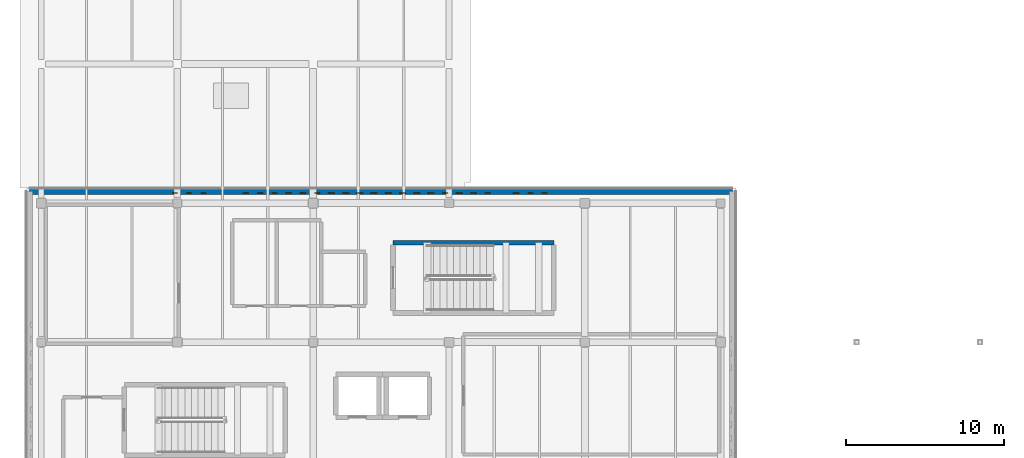
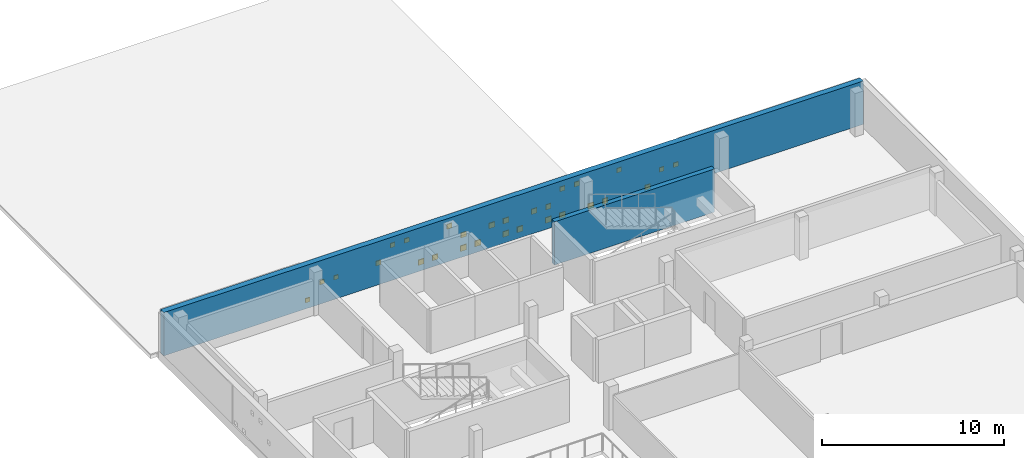
# One storey, part 13 of 17: 28 windows, 2 walls, 28 openings.
"""IFC4 building model written with IfcOpenShell, lengths in metres."""

from ifc_helpers import new_model, si_unit, direction, frame, frame_2d, origin, place, context, subcontext, project, spatial, rectangle, extrude, material, layer, layer_set, type_object, element, fill, save


model = new_model("IFC4")

# Units and contexts
model_context = context("Model", 3, precision=1e-05, world=origin(), true_north=direction((0.0, 1.0)))
body_context = subcontext(model_context, "Body", "Model", "MODEL_VIEW")
ifc_project = project(units=[si_unit("LENGTHUNIT", "METRE"), si_unit("AREAUNIT", "SQUARE_METRE"), si_unit("VOLUMEUNIT", "CUBIC_METRE"), si_unit("PLANEANGLEUNIT", "RADIAN"), si_unit("MASSUNIT", "GRAM", prefix="KILO")], contexts=[model_context])

# Site, building, storey
site_placement = place(None, origin())
site = spatial("IfcSite", under=ifc_project, at=site_placement, CompositionType="ELEMENT")
building_placement = place(site_placement, origin())
building = spatial("IfcBuilding", under=site, at=building_placement, Name="Varnakota Cinema and Media Centre", CompositionType="ELEMENT")
storey_placement = place(building_placement, frame((0.0, 0.0, 22.35009765625)))
storey = spatial("IfcBuildingStorey", under=building, at=storey_placement, Name="L06", CompositionType="ELEMENT", Elevation=22.35009765625)

# Wall
ifc_material_1 = material(Name="Concrete M40", Category="concrete")
ifc_layer_1 = layer(ifc_material_1, 0.300048828125)
ifc_layer_set_1 = layer_set([ifc_layer_1], Name="Concrete M40")
wall_type_1 = type_object("IfcWallType", Name="W-CORE-300", PredefinedType="SHEAR", material=ifc_layer_set_1)
wall_1_placement = place(storey_placement, frame((22.25, 32.699951171875, 0.0), z_axis=(0.0, 0.0, 1.0), x_axis=(1.0, 0.0, 0.0)))
element("IfcWall", 1, at=wall_1_placement, inside=storey, type_object=wall_type_1, Name="L06 CWALL-ST-02-L06 N wall", PredefinedType="SHEAR", context=body_context, shape_type="SweptSolid", body=[
    extrude(rectangle(XDim=10.179931640625, YDim=0.300048828125, at=frame_2d((5.08984375, 0.0))), origin(), (0.0, 0.0, 1.0), 2.909912109375),
])

# Wall, openings, windows
ifc_material_2 = material(Name="Pale Tandur limestone cladding", Category="masonry")
ifc_layer_2 = layer(ifc_material_2, 0.360107421875)
ifc_layer_set_2 = layer_set([ifc_layer_2], Name="Pale Tandur limestone cladding")
wall_type_2 = type_object("IfcWallType", Name="W-EXT-TANDUR-360", PredefinedType="SOLIDWALL", material=ifc_layer_set_2)
wall_2_placement = place(storey_placement, frame((-0.739990234375, 35.93994140625, 0.0), z_axis=(0.0, 0.0, 1.0), x_axis=(1.0, 0.0, 0.0)))
wall_2 = element("IfcWall", 2, at=wall_2_placement, inside=storey, type_object=wall_type_2, Name="L06 V4 pale Tandur stone monolith wall V4-N", PredefinedType="SOLIDWALL", context=body_context, shape_type="SweptSolid", body=[
    extrude(rectangle(XDim=44.47998046875, YDim=0.360107421875, at=frame_2d((22.239990234375, 0.0))), origin(), (0.0, 0.0, 1.0), 2.909912109375),
])
opening_1_placement = place(wall_2_placement, frame((9.050048828125, 0.0, 0.360107421875)))
opening_1 = element("IfcOpeningElement", 3, at=opening_1_placement, cuts=wall_2, Name="Opening WP15", PredefinedType="OPENING", context=body_context, shape_type="SweptSolid", body=[
    extrude(rectangle(XDim=0.280029296875, YDim=0.280029296875, at=frame_2d((0.14013671875, 0.14013671875))), frame((0.0, 0.18017578125, 0.0), z_axis=(0.0, -1.0, 0.0), x_axis=(1.0, 0.0, 0.0)), (0.0, 0.0, 1.0), 0.360107421875),
])
opening_2_placement = place(wall_2_placement, frame((9.949951171875, 0.0, 1.260009765625)))
opening_2 = element("IfcOpeningElement", 4, at=opening_2_placement, cuts=wall_2, Name="Opening WP15", PredefinedType="OPENING", context=body_context, shape_type="SweptSolid", body=[
    extrude(rectangle(XDim=0.280029296875, YDim=0.280029296875, at=frame_2d((0.14013671875, 0.14013671875))), frame((0.0, 0.18017578125, 0.0), z_axis=(0.0, -1.0, 0.0), x_axis=(1.0, 0.0, 0.0)), (0.0, 0.0, 1.0), 0.360107421875),
])
opening_3_placement = place(wall_2_placement, frame((10.85009765625, 0.0, 1.260009765625)))
opening_3 = element("IfcOpeningElement", 5, at=opening_3_placement, cuts=wall_2, Name="Opening WP15", PredefinedType="OPENING", context=body_context, shape_type="SweptSolid", body=[
    extrude(rectangle(XDim=0.280029296875, YDim=0.280029296875, at=frame_2d((0.14013671875, 0.14013671875))), frame((0.0, 0.18017578125, 0.0), z_axis=(0.0, -1.0, 0.0), x_axis=(1.0, 0.0, 0.0)), (0.0, 0.0, 1.0), 0.360107421875),
])
opening_4_placement = place(wall_2_placement, frame((13.530029296875, 0.0, 1.260009765625)))
opening_4 = element("IfcOpeningElement", 6, at=opening_4_placement, cuts=wall_2, Name="Opening WP13", PredefinedType="OPENING", context=body_context, shape_type="SweptSolid", body=[
    extrude(rectangle(XDim=0.320068359375, YDim=0.320068359375, at=frame_2d((0.16015625, 0.16015625))), frame((0.0, 0.18017578125, 0.0), z_axis=(0.0, -1.0, 0.0), x_axis=(1.0, 0.0, 0.0)), (0.0, 0.0, 1.0), 0.360107421875),
])
opening_5_placement = place(wall_2_placement, frame((14.43994140625, 0.0, 2.159912109375)))
opening_5 = element("IfcOpeningElement", 7, at=opening_5_placement, cuts=wall_2, Name="Opening WP14", PredefinedType="OPENING", context=body_context, shape_type="SweptSolid", body=[
    extrude(rectangle(XDim=0.300048828125, YDim=0.300048828125, at=frame_2d((0.14990234375, 0.14990234375))), frame((0.0, 0.18017578125, 0.0), z_axis=(0.0, -1.0, 0.0), x_axis=(1.0, 0.0, 0.0)), (0.0, 0.0, 1.0), 0.360107421875),
])
opening_6_placement = place(wall_2_placement, frame((15.340087890625, 0.0, 2.159912109375)))
opening_6 = element("IfcOpeningElement", 8, at=opening_6_placement, cuts=wall_2, Name="Opening WP14", PredefinedType="OPENING", context=body_context, shape_type="SweptSolid", body=[
    extrude(rectangle(XDim=0.300048828125, YDim=0.300048828125, at=frame_2d((0.14990234375, 0.14990234375))), frame((0.0, 0.18017578125, 0.0), z_axis=(0.0, -1.0, 0.0), x_axis=(1.0, 0.0, 0.0)), (0.0, 0.0, 1.0), 0.360107421875),
])
opening_7_placement = place(wall_2_placement, frame((16.2099609375, 0.0, 0.360107421875)))
opening_7 = element("IfcOpeningElement", 9, at=opening_7_placement, cuts=wall_2, Name="Opening WP11", PredefinedType="OPENING", context=body_context, shape_type="SweptSolid", body=[
    extrude(rectangle(XDim=0.360107421875, YDim=0.360107421875, at=frame_2d((0.18017578125, 0.18017578125))), frame((0.0, 0.18017578125, 0.0), z_axis=(0.0, -1.0, 0.0), x_axis=(1.0, 0.0, 0.0)), (0.0, 0.0, 1.0), 0.360107421875),
])
opening_8_placement = place(wall_2_placement, frame((17.110107421875, 0.0, 0.360107421875)))
opening_8 = element("IfcOpeningElement", 10, at=opening_8_placement, cuts=wall_2, Name="Opening WP11", PredefinedType="OPENING", context=body_context, shape_type="SweptSolid", body=[
    extrude(rectangle(XDim=0.360107421875, YDim=0.360107421875, at=frame_2d((0.18017578125, 0.18017578125))), frame((0.0, 0.18017578125, 0.0), z_axis=(0.0, -1.0, 0.0), x_axis=(1.0, 0.0, 0.0)), (0.0, 0.0, 1.0), 0.360107421875),
])
opening_9_placement = place(wall_2_placement, frame((18.030029296875, 0.0, 2.159912109375)))
opening_9 = element("IfcOpeningElement", 11, at=opening_9_placement, cuts=wall_2, Name="Opening WP13", PredefinedType="OPENING", context=body_context, shape_type="SweptSolid", body=[
    extrude(rectangle(XDim=0.320068359375, YDim=0.320068359375, at=frame_2d((0.16015625, 0.16015625))), frame((0.0, 0.18017578125, 0.0), z_axis=(0.0, -1.0, 0.0), x_axis=(1.0, 0.0, 0.0)), (0.0, 0.0, 1.0), 0.360107421875),
])
opening_10_placement = place(wall_2_placement, frame((18.89990234375, 0.0, 0.360107421875)))
opening_10 = element("IfcOpeningElement", 12, at=opening_10_placement, cuts=wall_2, Name="Opening WP10", PredefinedType="OPENING", context=body_context, shape_type="SweptSolid", body=[
    extrude(rectangle(XDim=0.3798828125, YDim=0.3798828125, at=frame_2d((0.18994140625, 0.18994140625))), frame((0.0, 0.18017578125, 0.0), z_axis=(0.0, -1.0, 0.0), x_axis=(1.0, 0.0, 0.0)), (0.0, 0.0, 1.0), 0.360107421875),
])
opening_11_placement = place(wall_2_placement, frame((18.919921875, 0.0, 1.260009765625)))
opening_11 = element("IfcOpeningElement", 13, at=opening_11_placement, cuts=wall_2, Name="Opening WP12", PredefinedType="OPENING", context=body_context, shape_type="SweptSolid", body=[
    extrude(rectangle(XDim=0.340087890625, YDim=0.340087890625, at=frame_2d((0.169921875, 0.169921875))), frame((0.0, 0.18017578125, 0.0), z_axis=(0.0, -1.0, 0.0), x_axis=(1.0, 0.0, 0.0)), (0.0, 0.0, 1.0), 0.360107421875),
])
opening_12_placement = place(wall_2_placement, frame((19.800048828125, 0.0, 0.360107421875)))
opening_12 = element("IfcOpeningElement", 14, at=opening_12_placement, cuts=wall_2, Name="Opening WP10", PredefinedType="OPENING", context=body_context, shape_type="SweptSolid", body=[
    extrude(rectangle(XDim=0.3798828125, YDim=0.3798828125, at=frame_2d((0.18994140625, 0.18994140625))), frame((0.0, 0.18017578125, 0.0), z_axis=(0.0, -1.0, 0.0), x_axis=(1.0, 0.0, 0.0)), (0.0, 0.0, 1.0), 0.360107421875),
])
opening_13_placement = place(wall_2_placement, frame((20.7099609375, 0.0, 1.260009765625)))
opening_13 = element("IfcOpeningElement", 15, at=opening_13_placement, cuts=wall_2, Name="Opening WP11", PredefinedType="OPENING", context=body_context, shape_type="SweptSolid", body=[
    extrude(rectangle(XDim=0.360107421875, YDim=0.360107421875, at=frame_2d((0.18017578125, 0.18017578125))), frame((0.0, 0.18017578125, 0.0), z_axis=(0.0, -1.0, 0.0), x_axis=(1.0, 0.0, 0.0)), (0.0, 0.0, 1.0), 0.360107421875),
])
opening_14_placement = place(wall_2_placement, frame((21.60009765625, 0.0, 0.360107421875)))
opening_14 = element("IfcOpeningElement", 16, at=opening_14_placement, cuts=wall_2, Name="Opening WP10", PredefinedType="OPENING", context=body_context, shape_type="SweptSolid", body=[
    extrude(rectangle(XDim=0.3798828125, YDim=0.3798828125, at=frame_2d((0.18994140625, 0.18994140625))), frame((0.0, 0.18017578125, 0.0), z_axis=(0.0, -1.0, 0.0), x_axis=(1.0, 0.0, 0.0)), (0.0, 0.0, 1.0), 0.360107421875),
])
opening_15_placement = place(wall_2_placement, frame((21.610107421875, 0.0, 1.260009765625)))
opening_15 = element("IfcOpeningElement", 17, at=opening_15_placement, cuts=wall_2, Name="Opening WP11", PredefinedType="OPENING", context=body_context, shape_type="SweptSolid", body=[
    extrude(rectangle(XDim=0.360107421875, YDim=0.360107421875, at=frame_2d((0.18017578125, 0.18017578125))), frame((0.0, 0.18017578125, 0.0), z_axis=(0.0, -1.0, 0.0), x_axis=(1.0, 0.0, 0.0)), (0.0, 0.0, 1.0), 0.360107421875),
])
opening_16_placement = place(wall_2_placement, frame((22.5, 0.0, 0.360107421875)))
opening_16 = element("IfcOpeningElement", 18, at=opening_16_placement, cuts=wall_2, Name="Opening WP10", PredefinedType="OPENING", context=body_context, shape_type="SweptSolid", body=[
    extrude(rectangle(XDim=0.3798828125, YDim=0.3798828125, at=frame_2d((0.18994140625, 0.18994140625))), frame((0.0, 0.18017578125, 0.0), z_axis=(0.0, -1.0, 0.0), x_axis=(1.0, 0.0, 0.0)), (0.0, 0.0, 1.0), 0.360107421875),
])
opening_17_placement = place(wall_2_placement, frame((23.409912109375, 0.0, 1.260009765625)))
opening_17 = element("IfcOpeningElement", 19, at=opening_17_placement, cuts=wall_2, Name="Opening WP11", PredefinedType="OPENING", context=body_context, shape_type="SweptSolid", body=[
    extrude(rectangle(XDim=0.360107421875, YDim=0.360107421875, at=frame_2d((0.18017578125, 0.18017578125))), frame((0.0, 0.18017578125, 0.0), z_axis=(0.0, -1.0, 0.0), x_axis=(1.0, 0.0, 0.0)), (0.0, 0.0, 1.0), 0.360107421875),
])
opening_18_placement = place(wall_2_placement, frame((24.300048828125, 0.0, 0.360107421875)))
opening_18 = element("IfcOpeningElement", 20, at=opening_18_placement, cuts=wall_2, Name="Opening WP10", PredefinedType="OPENING", context=body_context, shape_type="SweptSolid", body=[
    extrude(rectangle(XDim=0.3798828125, YDim=0.3798828125, at=frame_2d((0.18994140625, 0.18994140625))), frame((0.0, 0.18017578125, 0.0), z_axis=(0.0, -1.0, 0.0), x_axis=(1.0, 0.0, 0.0)), (0.0, 0.0, 1.0), 0.360107421875),
])
opening_19_placement = place(wall_2_placement, frame((24.320068359375, 0.0, 1.260009765625)))
opening_19 = element("IfcOpeningElement", 21, at=opening_19_placement, cuts=wall_2, Name="Opening WP12", PredefinedType="OPENING", context=body_context, shape_type="SweptSolid", body=[
    extrude(rectangle(XDim=0.340087890625, YDim=0.340087890625, at=frame_2d((0.169921875, 0.169921875))), frame((0.0, 0.18017578125, 0.0), z_axis=(0.0, -1.0, 0.0), x_axis=(1.0, 0.0, 0.0)), (0.0, 0.0, 1.0), 0.360107421875),
])
opening_20_placement = place(wall_2_placement, frame((25.199951171875, 0.0, 0.360107421875)))
opening_20 = element("IfcOpeningElement", 22, at=opening_20_placement, cuts=wall_2, Name="Opening WP10", PredefinedType="OPENING", context=body_context, shape_type="SweptSolid", body=[
    extrude(rectangle(XDim=0.3798828125, YDim=0.3798828125, at=frame_2d((0.18994140625, 0.18994140625))), frame((0.0, 0.18017578125, 0.0), z_axis=(0.0, -1.0, 0.0), x_axis=(1.0, 0.0, 0.0)), (0.0, 0.0, 1.0), 0.360107421875),
])
opening_21_placement = place(wall_2_placement, frame((25.22998046875, 0.0, 2.159912109375)))
opening_21 = element("IfcOpeningElement", 23, at=opening_21_placement, cuts=wall_2, Name="Opening WP13", PredefinedType="OPENING", context=body_context, shape_type="SweptSolid", body=[
    extrude(rectangle(XDim=0.320068359375, YDim=0.320068359375, at=frame_2d((0.16015625, 0.16015625))), frame((0.0, 0.18017578125, 0.0), z_axis=(0.0, -1.0, 0.0), x_axis=(1.0, 0.0, 0.0)), (0.0, 0.0, 1.0), 0.360107421875),
])
opening_22_placement = place(wall_2_placement, frame((26.1298828125, 0.0, 2.159912109375)))
opening_22 = element("IfcOpeningElement", 24, at=opening_22_placement, cuts=wall_2, Name="Opening WP13", PredefinedType="OPENING", context=body_context, shape_type="SweptSolid", body=[
    extrude(rectangle(XDim=0.320068359375, YDim=0.320068359375, at=frame_2d((0.16015625, 0.16015625))), frame((0.0, 0.18017578125, 0.0), z_axis=(0.0, -1.0, 0.0), x_axis=(1.0, 0.0, 0.0)), (0.0, 0.0, 1.0), 0.360107421875),
])
opening_23_placement = place(wall_2_placement, frame((27.010009765625, 0.0, 0.360107421875)))
opening_23 = element("IfcOpeningElement", 25, at=opening_23_placement, cuts=wall_2, Name="Opening WP11", PredefinedType="OPENING", context=body_context, shape_type="SweptSolid", body=[
    extrude(rectangle(XDim=0.360107421875, YDim=0.360107421875, at=frame_2d((0.18017578125, 0.18017578125))), frame((0.0, 0.18017578125, 0.0), z_axis=(0.0, -1.0, 0.0), x_axis=(1.0, 0.0, 0.0)), (0.0, 0.0, 1.0), 0.360107421875),
])
opening_24_placement = place(wall_2_placement, frame((27.909912109375, 0.0, 0.360107421875)))
opening_24 = element("IfcOpeningElement", 26, at=opening_24_placement, cuts=wall_2, Name="Opening WP11", PredefinedType="OPENING", context=body_context, shape_type="SweptSolid", body=[
    extrude(rectangle(XDim=0.360107421875, YDim=0.360107421875, at=frame_2d((0.18017578125, 0.18017578125))), frame((0.0, 0.18017578125, 0.0), z_axis=(0.0, -1.0, 0.0), x_axis=(1.0, 0.0, 0.0)), (0.0, 0.0, 1.0), 0.360107421875),
])
opening_25_placement = place(wall_2_placement, frame((28.840087890625, 0.0, 2.159912109375)))
opening_25 = element("IfcOpeningElement", 27, at=opening_25_placement, cuts=wall_2, Name="Opening WP14", PredefinedType="OPENING", context=body_context, shape_type="SweptSolid", body=[
    extrude(rectangle(XDim=0.300048828125, YDim=0.300048828125, at=frame_2d((0.14990234375, 0.14990234375))), frame((0.0, 0.18017578125, 0.0), z_axis=(0.0, -1.0, 0.0), x_axis=(1.0, 0.0, 0.0)), (0.0, 0.0, 1.0), 0.360107421875),
])
opening_26_placement = place(wall_2_placement, frame((30.6201171875, 0.0, 0.360107421875)))
opening_26 = element("IfcOpeningElement", 28, at=opening_26_placement, cuts=wall_2, Name="Opening WP12", PredefinedType="OPENING", context=body_context, shape_type="SweptSolid", body=[
    extrude(rectangle(XDim=0.340087890625, YDim=0.340087890625, at=frame_2d((0.169921875, 0.169921875))), frame((0.0, 0.18017578125, 0.0), z_axis=(0.0, -1.0, 0.0), x_axis=(1.0, 0.0, 0.0)), (0.0, 0.0, 1.0), 0.360107421875),
])
opening_27_placement = place(wall_2_placement, frame((31.5400390625, 0.0, 1.260009765625)))
opening_27 = element("IfcOpeningElement", 29, at=opening_27_placement, cuts=wall_2, Name="Opening WP14", PredefinedType="OPENING", context=body_context, shape_type="SweptSolid", body=[
    extrude(rectangle(XDim=0.300048828125, YDim=0.300048828125, at=frame_2d((0.14990234375, 0.14990234375))), frame((0.0, 0.18017578125, 0.0), z_axis=(0.0, -1.0, 0.0), x_axis=(1.0, 0.0, 0.0)), (0.0, 0.0, 1.0), 0.360107421875),
])
opening_28_placement = place(wall_2_placement, frame((32.43994140625, 0.0, 1.260009765625)))
opening_28 = element("IfcOpeningElement", 30, at=opening_28_placement, cuts=wall_2, Name="Opening WP14", PredefinedType="OPENING", context=body_context, shape_type="SweptSolid", body=[
    extrude(rectangle(XDim=0.300048828125, YDim=0.300048828125, at=frame_2d((0.14990234375, 0.14990234375))), frame((0.0, 0.18017578125, 0.0), z_axis=(0.0, -1.0, 0.0), x_axis=(1.0, 0.0, 0.0)), (0.0, 0.0, 1.0), 0.360107421875),
])
ifc_material_3 = material(Name="Laminated solar-control double glazing", Category="glass")
window_type_1 = type_object("IfcWindowType", Name="WIN-PIERCE-10", PartitioningType="SINGLE_PANEL", PredefinedType="WINDOW", material=ifc_material_3)
window_1_placement = place(opening_10_placement, origin())
window_1 = element("IfcWindow", 31, at=window_1_placement, inside=storey, type_object=window_type_1, Name="L06 window WP10", OverallHeight=0.3798828125, OverallWidth=0.3798828125, PartitioningType="SINGLE_PANEL", PredefinedType="WINDOW", context=body_context, shape_type="SweptSolid", body=[
    extrude(rectangle(XDim=0.3798828125, YDim=0.3798828125, at=frame_2d((0.18994140625, 0.18994140625))), frame((0.0, -0.070068359375, 0.0), z_axis=(0.0, -1.0, 0.0), x_axis=(1.0, 0.0, 0.0)), (0.0, 0.0, 1.0), 0.06005859375),
])
fill(opening_10, window_1)
window_2_placement = place(opening_12_placement, origin())
window_2 = element("IfcWindow", 32, at=window_2_placement, inside=storey, type_object=window_type_1, Name="L06 window WP10", OverallHeight=0.3798828125, OverallWidth=0.3798828125, PartitioningType="SINGLE_PANEL", PredefinedType="WINDOW", context=body_context, shape_type="SweptSolid", body=[
    extrude(rectangle(XDim=0.3798828125, YDim=0.3798828125, at=frame_2d((0.18994140625, 0.18994140625))), frame((0.0, -0.070068359375, 0.0), z_axis=(0.0, -1.0, 0.0), x_axis=(1.0, 0.0, 0.0)), (0.0, 0.0, 1.0), 0.06005859375),
])
fill(opening_12, window_2)
window_3_placement = place(opening_14_placement, origin())
window_3 = element("IfcWindow", 33, at=window_3_placement, inside=storey, type_object=window_type_1, Name="L06 window WP10", OverallHeight=0.3798828125, OverallWidth=0.3798828125, PartitioningType="SINGLE_PANEL", PredefinedType="WINDOW", context=body_context, shape_type="SweptSolid", body=[
    extrude(rectangle(XDim=0.3798828125, YDim=0.3798828125, at=frame_2d((0.18994140625, 0.18994140625))), frame((0.0, -0.070068359375, 0.0), z_axis=(0.0, -1.0, 0.0), x_axis=(1.0, 0.0, 0.0)), (0.0, 0.0, 1.0), 0.06005859375),
])
fill(opening_14, window_3)
window_4_placement = place(opening_16_placement, origin())
window_4 = element("IfcWindow", 34, at=window_4_placement, inside=storey, type_object=window_type_1, Name="L06 window WP10", OverallHeight=0.3798828125, OverallWidth=0.3798828125, PartitioningType="SINGLE_PANEL", PredefinedType="WINDOW", context=body_context, shape_type="SweptSolid", body=[
    extrude(rectangle(XDim=0.3798828125, YDim=0.3798828125, at=frame_2d((0.18994140625, 0.18994140625))), frame((0.0, -0.070068359375, 0.0), z_axis=(0.0, -1.0, 0.0), x_axis=(1.0, 0.0, 0.0)), (0.0, 0.0, 1.0), 0.06005859375),
])
fill(opening_16, window_4)
window_5_placement = place(opening_18_placement, origin())
window_5 = element("IfcWindow", 35, at=window_5_placement, inside=storey, type_object=window_type_1, Name="L06 window WP10", OverallHeight=0.3798828125, OverallWidth=0.3798828125, PartitioningType="SINGLE_PANEL", PredefinedType="WINDOW", context=body_context, shape_type="SweptSolid", body=[
    extrude(rectangle(XDim=0.3798828125, YDim=0.3798828125, at=frame_2d((0.18994140625, 0.18994140625))), frame((0.0, -0.070068359375, 0.0), z_axis=(0.0, -1.0, 0.0), x_axis=(1.0, 0.0, 0.0)), (0.0, 0.0, 1.0), 0.06005859375),
])
fill(opening_18, window_5)
window_6_placement = place(opening_20_placement, origin())
window_6 = element("IfcWindow", 36, at=window_6_placement, inside=storey, type_object=window_type_1, Name="L06 window WP10", OverallHeight=0.3798828125, OverallWidth=0.3798828125, PartitioningType="SINGLE_PANEL", PredefinedType="WINDOW", context=body_context, shape_type="SweptSolid", body=[
    extrude(rectangle(XDim=0.3798828125, YDim=0.3798828125, at=frame_2d((0.18994140625, 0.18994140625))), frame((0.0, -0.070068359375, 0.0), z_axis=(0.0, -1.0, 0.0), x_axis=(1.0, 0.0, 0.0)), (0.0, 0.0, 1.0), 0.06005859375),
])
fill(opening_20, window_6)
ifc_material_4 = material(Name="Laminated solar-control double glazing", Category="glass")
window_type_2 = type_object("IfcWindowType", Name="WIN-PIERCE-11", PartitioningType="SINGLE_PANEL", PredefinedType="WINDOW", material=ifc_material_4)
window_7_placement = place(opening_7_placement, origin())
window_7 = element("IfcWindow", 37, at=window_7_placement, inside=storey, type_object=window_type_2, Name="L06 window WP11", OverallHeight=0.360107421875, OverallWidth=0.360107421875, PartitioningType="SINGLE_PANEL", PredefinedType="WINDOW", context=body_context, shape_type="SweptSolid", body=[
    extrude(rectangle(XDim=0.360107421875, YDim=0.360107421875, at=frame_2d((0.18017578125, 0.18017578125))), frame((0.0, -0.070068359375, 0.0), z_axis=(0.0, -1.0, 0.0), x_axis=(1.0, 0.0, 0.0)), (0.0, 0.0, 1.0), 0.06005859375),
])
fill(opening_7, window_7)
window_8_placement = place(opening_8_placement, origin())
window_8 = element("IfcWindow", 38, at=window_8_placement, inside=storey, type_object=window_type_2, Name="L06 window WP11", OverallHeight=0.360107421875, OverallWidth=0.360107421875, PartitioningType="SINGLE_PANEL", PredefinedType="WINDOW", context=body_context, shape_type="SweptSolid", body=[
    extrude(rectangle(XDim=0.360107421875, YDim=0.360107421875, at=frame_2d((0.18017578125, 0.18017578125))), frame((0.0, -0.070068359375, 0.0), z_axis=(0.0, -1.0, 0.0), x_axis=(1.0, 0.0, 0.0)), (0.0, 0.0, 1.0), 0.06005859375),
])
fill(opening_8, window_8)
window_9_placement = place(opening_13_placement, origin())
window_9 = element("IfcWindow", 39, at=window_9_placement, inside=storey, type_object=window_type_2, Name="L06 window WP11", OverallHeight=0.360107421875, OverallWidth=0.360107421875, PartitioningType="SINGLE_PANEL", PredefinedType="WINDOW", context=body_context, shape_type="SweptSolid", body=[
    extrude(rectangle(XDim=0.360107421875, YDim=0.360107421875, at=frame_2d((0.18017578125, 0.18017578125))), frame((0.0, -0.070068359375, 0.0), z_axis=(0.0, -1.0, 0.0), x_axis=(1.0, 0.0, 0.0)), (0.0, 0.0, 1.0), 0.06005859375),
])
fill(opening_13, window_9)
window_10_placement = place(opening_15_placement, origin())
window_10 = element("IfcWindow", 40, at=window_10_placement, inside=storey, type_object=window_type_2, Name="L06 window WP11", OverallHeight=0.360107421875, OverallWidth=0.360107421875, PartitioningType="SINGLE_PANEL", PredefinedType="WINDOW", context=body_context, shape_type="SweptSolid", body=[
    extrude(rectangle(XDim=0.360107421875, YDim=0.360107421875, at=frame_2d((0.18017578125, 0.18017578125))), frame((0.0, -0.070068359375, 0.0), z_axis=(0.0, -1.0, 0.0), x_axis=(1.0, 0.0, 0.0)), (0.0, 0.0, 1.0), 0.06005859375),
])
fill(opening_15, window_10)
window_11_placement = place(opening_17_placement, origin())
window_11 = element("IfcWindow", 41, at=window_11_placement, inside=storey, type_object=window_type_2, Name="L06 window WP11", OverallHeight=0.360107421875, OverallWidth=0.360107421875, PartitioningType="SINGLE_PANEL", PredefinedType="WINDOW", context=body_context, shape_type="SweptSolid", body=[
    extrude(rectangle(XDim=0.360107421875, YDim=0.360107421875, at=frame_2d((0.18017578125, 0.18017578125))), frame((0.0, -0.070068359375, 0.0), z_axis=(0.0, -1.0, 0.0), x_axis=(1.0, 0.0, 0.0)), (0.0, 0.0, 1.0), 0.06005859375),
])
fill(opening_17, window_11)
window_12_placement = place(opening_23_placement, origin())
window_12 = element("IfcWindow", 42, at=window_12_placement, inside=storey, type_object=window_type_2, Name="L06 window WP11", OverallHeight=0.360107421875, OverallWidth=0.360107421875, PartitioningType="SINGLE_PANEL", PredefinedType="WINDOW", context=body_context, shape_type="SweptSolid", body=[
    extrude(rectangle(XDim=0.360107421875, YDim=0.360107421875, at=frame_2d((0.18017578125, 0.18017578125))), frame((0.0, -0.070068359375, 0.0), z_axis=(0.0, -1.0, 0.0), x_axis=(1.0, 0.0, 0.0)), (0.0, 0.0, 1.0), 0.06005859375),
])
fill(opening_23, window_12)
window_13_placement = place(opening_24_placement, origin())
window_13 = element("IfcWindow", 43, at=window_13_placement, inside=storey, type_object=window_type_2, Name="L06 window WP11", OverallHeight=0.360107421875, OverallWidth=0.360107421875, PartitioningType="SINGLE_PANEL", PredefinedType="WINDOW", context=body_context, shape_type="SweptSolid", body=[
    extrude(rectangle(XDim=0.360107421875, YDim=0.360107421875, at=frame_2d((0.18017578125, 0.18017578125))), frame((0.0, -0.070068359375, 0.0), z_axis=(0.0, -1.0, 0.0), x_axis=(1.0, 0.0, 0.0)), (0.0, 0.0, 1.0), 0.06005859375),
])
fill(opening_24, window_13)
ifc_material_5 = material(Name="Laminated solar-control double glazing", Category="glass")
window_type_3 = type_object("IfcWindowType", Name="WIN-PIERCE-12", PartitioningType="SINGLE_PANEL", PredefinedType="WINDOW", material=ifc_material_5)
window_14_placement = place(opening_11_placement, origin())
window_14 = element("IfcWindow", 44, at=window_14_placement, inside=storey, type_object=window_type_3, Name="L06 window WP12", OverallHeight=0.340087890625, OverallWidth=0.340087890625, PartitioningType="SINGLE_PANEL", PredefinedType="WINDOW", context=body_context, shape_type="SweptSolid", body=[
    extrude(rectangle(XDim=0.340087890625, YDim=0.340087890625, at=frame_2d((0.169921875, 0.169921875))), frame((0.0, -0.070068359375, 0.0), z_axis=(0.0, -1.0, 0.0), x_axis=(1.0, 0.0, 0.0)), (0.0, 0.0, 1.0), 0.06005859375),
])
fill(opening_11, window_14)
window_15_placement = place(opening_19_placement, origin())
window_15 = element("IfcWindow", 45, at=window_15_placement, inside=storey, type_object=window_type_3, Name="L06 window WP12", OverallHeight=0.340087890625, OverallWidth=0.340087890625, PartitioningType="SINGLE_PANEL", PredefinedType="WINDOW", context=body_context, shape_type="SweptSolid", body=[
    extrude(rectangle(XDim=0.340087890625, YDim=0.340087890625, at=frame_2d((0.169921875, 0.169921875))), frame((0.0, -0.070068359375, 0.0), z_axis=(0.0, -1.0, 0.0), x_axis=(1.0, 0.0, 0.0)), (0.0, 0.0, 1.0), 0.06005859375),
])
fill(opening_19, window_15)
window_16_placement = place(opening_26_placement, origin())
window_16 = element("IfcWindow", 46, at=window_16_placement, inside=storey, type_object=window_type_3, Name="L06 window WP12", OverallHeight=0.340087890625, OverallWidth=0.340087890625, PartitioningType="SINGLE_PANEL", PredefinedType="WINDOW", context=body_context, shape_type="SweptSolid", body=[
    extrude(rectangle(XDim=0.340087890625, YDim=0.340087890625, at=frame_2d((0.169921875, 0.169921875))), frame((0.0, -0.070068359375, 0.0), z_axis=(0.0, -1.0, 0.0), x_axis=(1.0, 0.0, 0.0)), (0.0, 0.0, 1.0), 0.06005859375),
])
fill(opening_26, window_16)
ifc_material_6 = material(Name="Laminated solar-control double glazing", Category="glass")
window_type_4 = type_object("IfcWindowType", Name="WIN-PIERCE-13", PartitioningType="SINGLE_PANEL", PredefinedType="WINDOW", material=ifc_material_6)
window_17_placement = place(opening_4_placement, origin())
window_17 = element("IfcWindow", 47, at=window_17_placement, inside=storey, type_object=window_type_4, Name="L06 window WP13", OverallHeight=0.320068359375, OverallWidth=0.320068359375, PartitioningType="SINGLE_PANEL", PredefinedType="WINDOW", context=body_context, shape_type="SweptSolid", body=[
    extrude(rectangle(XDim=0.320068359375, YDim=0.320068359375, at=frame_2d((0.16015625, 0.16015625))), frame((0.0, -0.070068359375, 0.0), z_axis=(0.0, -1.0, 0.0), x_axis=(1.0, 0.0, 0.0)), (0.0, 0.0, 1.0), 0.06005859375),
])
fill(opening_4, window_17)
window_18_placement = place(opening_9_placement, origin())
window_18 = element("IfcWindow", 48, at=window_18_placement, inside=storey, type_object=window_type_4, Name="L06 window WP13", OverallHeight=0.320068359375, OverallWidth=0.320068359375, PartitioningType="SINGLE_PANEL", PredefinedType="WINDOW", context=body_context, shape_type="SweptSolid", body=[
    extrude(rectangle(XDim=0.320068359375, YDim=0.320068359375, at=frame_2d((0.16015625, 0.16015625))), frame((0.0, -0.070068359375, 0.0), z_axis=(0.0, -1.0, 0.0), x_axis=(1.0, 0.0, 0.0)), (0.0, 0.0, 1.0), 0.06005859375),
])
fill(opening_9, window_18)
window_19_placement = place(opening_21_placement, origin())
window_19 = element("IfcWindow", 49, at=window_19_placement, inside=storey, type_object=window_type_4, Name="L06 window WP13", OverallHeight=0.320068359375, OverallWidth=0.320068359375, PartitioningType="SINGLE_PANEL", PredefinedType="WINDOW", context=body_context, shape_type="SweptSolid", body=[
    extrude(rectangle(XDim=0.320068359375, YDim=0.320068359375, at=frame_2d((0.16015625, 0.16015625))), frame((0.0, -0.070068359375, 0.0), z_axis=(0.0, -1.0, 0.0), x_axis=(1.0, 0.0, 0.0)), (0.0, 0.0, 1.0), 0.06005859375),
])
fill(opening_21, window_19)
window_20_placement = place(opening_22_placement, origin())
window_20 = element("IfcWindow", 50, at=window_20_placement, inside=storey, type_object=window_type_4, Name="L06 window WP13", OverallHeight=0.320068359375, OverallWidth=0.320068359375, PartitioningType="SINGLE_PANEL", PredefinedType="WINDOW", context=body_context, shape_type="SweptSolid", body=[
    extrude(rectangle(XDim=0.320068359375, YDim=0.320068359375, at=frame_2d((0.16015625, 0.16015625))), frame((0.0, -0.070068359375, 0.0), z_axis=(0.0, -1.0, 0.0), x_axis=(1.0, 0.0, 0.0)), (0.0, 0.0, 1.0), 0.06005859375),
])
fill(opening_22, window_20)
ifc_material_7 = material(Name="Laminated solar-control double glazing", Category="glass")
window_type_5 = type_object("IfcWindowType", Name="WIN-PIERCE-14", PartitioningType="SINGLE_PANEL", PredefinedType="WINDOW", material=ifc_material_7)
window_21_placement = place(opening_5_placement, origin())
window_21 = element("IfcWindow", 51, at=window_21_placement, inside=storey, type_object=window_type_5, Name="L06 window WP14", OverallHeight=0.300048828125, OverallWidth=0.300048828125, PartitioningType="SINGLE_PANEL", PredefinedType="WINDOW", context=body_context, shape_type="SweptSolid", body=[
    extrude(rectangle(XDim=0.300048828125, YDim=0.300048828125, at=frame_2d((0.14990234375, 0.14990234375))), frame((0.0, -0.070068359375, 0.0), z_axis=(0.0, -1.0, 0.0), x_axis=(1.0, 0.0, 0.0)), (0.0, 0.0, 1.0), 0.06005859375),
])
fill(opening_5, window_21)
window_22_placement = place(opening_6_placement, origin())
window_22 = element("IfcWindow", 52, at=window_22_placement, inside=storey, type_object=window_type_5, Name="L06 window WP14", OverallHeight=0.300048828125, OverallWidth=0.300048828125, PartitioningType="SINGLE_PANEL", PredefinedType="WINDOW", context=body_context, shape_type="SweptSolid", body=[
    extrude(rectangle(XDim=0.300048828125, YDim=0.300048828125, at=frame_2d((0.14990234375, 0.14990234375))), frame((0.0, -0.070068359375, 0.0), z_axis=(0.0, -1.0, 0.0), x_axis=(1.0, 0.0, 0.0)), (0.0, 0.0, 1.0), 0.06005859375),
])
fill(opening_6, window_22)
window_23_placement = place(opening_25_placement, origin())
window_23 = element("IfcWindow", 53, at=window_23_placement, inside=storey, type_object=window_type_5, Name="L06 window WP14", OverallHeight=0.300048828125, OverallWidth=0.300048828125, PartitioningType="SINGLE_PANEL", PredefinedType="WINDOW", context=body_context, shape_type="SweptSolid", body=[
    extrude(rectangle(XDim=0.300048828125, YDim=0.300048828125, at=frame_2d((0.14990234375, 0.14990234375))), frame((0.0, -0.070068359375, 0.0), z_axis=(0.0, -1.0, 0.0), x_axis=(1.0, 0.0, 0.0)), (0.0, 0.0, 1.0), 0.06005859375),
])
fill(opening_25, window_23)
window_24_placement = place(opening_27_placement, origin())
window_24 = element("IfcWindow", 54, at=window_24_placement, inside=storey, type_object=window_type_5, Name="L06 window WP14", OverallHeight=0.300048828125, OverallWidth=0.300048828125, PartitioningType="SINGLE_PANEL", PredefinedType="WINDOW", context=body_context, shape_type="SweptSolid", body=[
    extrude(rectangle(XDim=0.300048828125, YDim=0.300048828125, at=frame_2d((0.14990234375, 0.14990234375))), frame((0.0, -0.070068359375, 0.0), z_axis=(0.0, -1.0, 0.0), x_axis=(1.0, 0.0, 0.0)), (0.0, 0.0, 1.0), 0.06005859375),
])
fill(opening_27, window_24)
window_25_placement = place(opening_28_placement, origin())
window_25 = element("IfcWindow", 55, at=window_25_placement, inside=storey, type_object=window_type_5, Name="L06 window WP14", OverallHeight=0.300048828125, OverallWidth=0.300048828125, PartitioningType="SINGLE_PANEL", PredefinedType="WINDOW", context=body_context, shape_type="SweptSolid", body=[
    extrude(rectangle(XDim=0.300048828125, YDim=0.300048828125, at=frame_2d((0.14990234375, 0.14990234375))), frame((0.0, -0.070068359375, 0.0), z_axis=(0.0, -1.0, 0.0), x_axis=(1.0, 0.0, 0.0)), (0.0, 0.0, 1.0), 0.06005859375),
])
fill(opening_28, window_25)
ifc_material_8 = material(Name="Laminated solar-control double glazing", Category="glass")
window_type_6 = type_object("IfcWindowType", Name="WIN-PIERCE-15", PartitioningType="SINGLE_PANEL", PredefinedType="WINDOW", material=ifc_material_8)
window_26_placement = place(opening_1_placement, origin())
window_26 = element("IfcWindow", 56, at=window_26_placement, inside=storey, type_object=window_type_6, Name="L06 window WP15", OverallHeight=0.280029296875, OverallWidth=0.280029296875, PartitioningType="SINGLE_PANEL", PredefinedType="WINDOW", context=body_context, shape_type="SweptSolid", body=[
    extrude(rectangle(XDim=0.280029296875, YDim=0.280029296875, at=frame_2d((0.14013671875, 0.14013671875))), frame((0.0, -0.070068359375, 0.0), z_axis=(0.0, -1.0, 0.0), x_axis=(1.0, 0.0, 0.0)), (0.0, 0.0, 1.0), 0.06005859375),
])
fill(opening_1, window_26)
window_27_placement = place(opening_2_placement, origin())
window_27 = element("IfcWindow", 57, at=window_27_placement, inside=storey, type_object=window_type_6, Name="L06 window WP15", OverallHeight=0.280029296875, OverallWidth=0.280029296875, PartitioningType="SINGLE_PANEL", PredefinedType="WINDOW", context=body_context, shape_type="SweptSolid", body=[
    extrude(rectangle(XDim=0.280029296875, YDim=0.280029296875, at=frame_2d((0.14013671875, 0.14013671875))), frame((0.0, -0.070068359375, 0.0), z_axis=(0.0, -1.0, 0.0), x_axis=(1.0, 0.0, 0.0)), (0.0, 0.0, 1.0), 0.06005859375),
])
fill(opening_2, window_27)
window_28_placement = place(opening_3_placement, origin())
window_28 = element("IfcWindow", 58, at=window_28_placement, inside=storey, type_object=window_type_6, Name="L06 window WP15", OverallHeight=0.280029296875, OverallWidth=0.280029296875, PartitioningType="SINGLE_PANEL", PredefinedType="WINDOW", context=body_context, shape_type="SweptSolid", body=[
    extrude(rectangle(XDim=0.280029296875, YDim=0.280029296875, at=frame_2d((0.14013671875, 0.14013671875))), frame((0.0, -0.070068359375, 0.0), z_axis=(0.0, -1.0, 0.0), x_axis=(1.0, 0.0, 0.0)), (0.0, 0.0, 1.0), 0.06005859375),
])
fill(opening_3, window_28)

save(model, "model.ifc")
